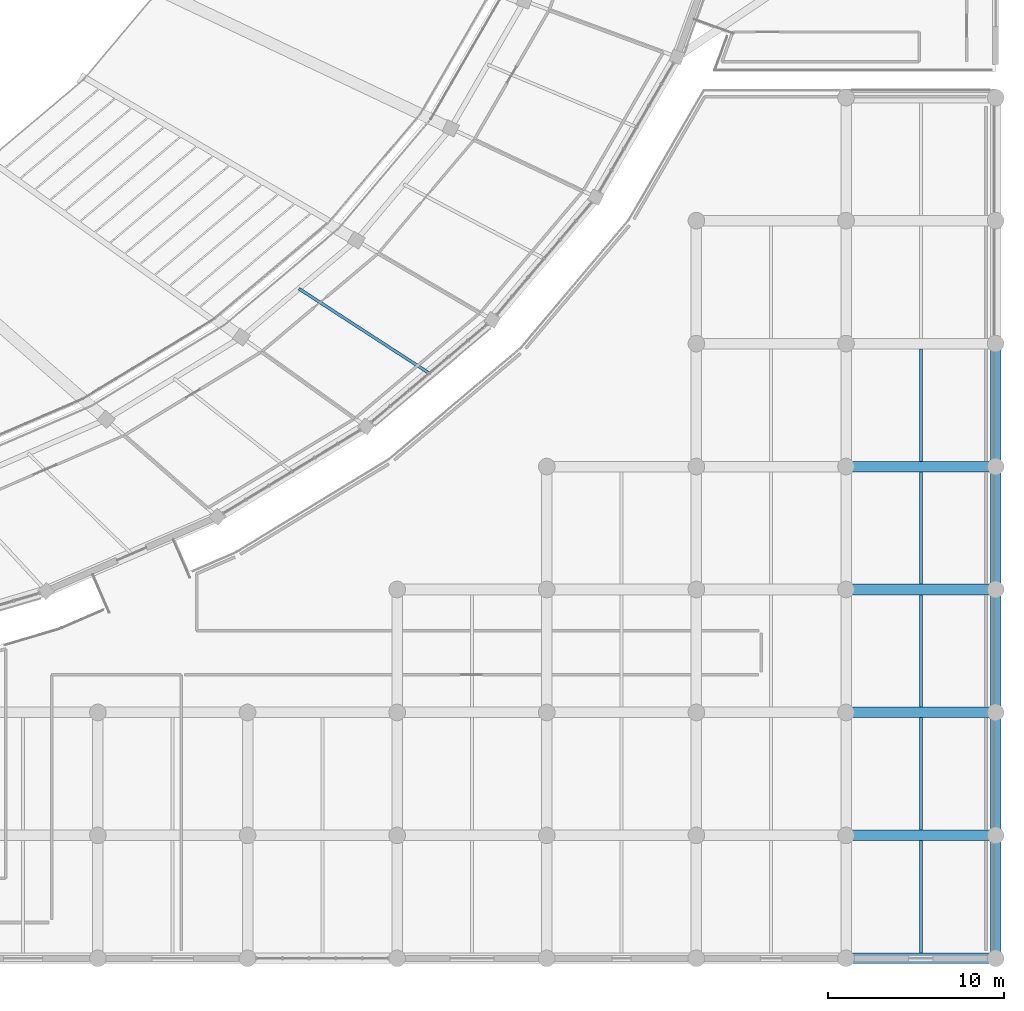
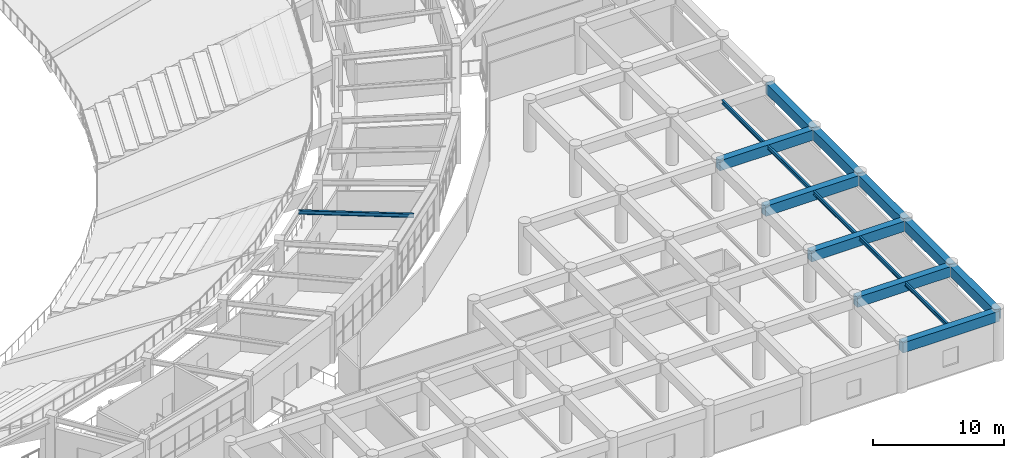
# One storey, part 39 of 137: 16 beams.
"""IFC4 building model written with IfcOpenShell, lengths in metres."""

from ifc_helpers import new_model, si_unit, direction, frame, origin, origin_2d, place, context, subcontext, project, spatial, rectangle, i_section, extrude, material, material_profile, profile_set, type_object, element, save


model = new_model("IFC4")

# Units and contexts
model_context = context("Model", 3, precision=1e-05, world=origin(), true_north=direction((0.0, 1.0)))
body_context = subcontext(model_context, "Body", "Model", "MODEL_VIEW")
ifc_project = project(units=[si_unit("LENGTHUNIT", "METRE"), si_unit("AREAUNIT", "SQUARE_METRE"), si_unit("VOLUMEUNIT", "CUBIC_METRE"), si_unit("PLANEANGLEUNIT", "RADIAN"), si_unit("MASSUNIT", "GRAM", prefix="KILO")], contexts=[model_context])

# Site, building, storey
site_placement = place(None, origin())
site = spatial("IfcSite", under=ifc_project, at=site_placement, CompositionType="ELEMENT")
building_placement = place(site_placement, origin())
building = spatial("IfcBuilding", under=site, at=building_placement, Name="Mphavela Belvedere Stadium", CompositionType="ELEMENT")
storey_placement = place(building_placement, frame((0.0, 0.0, 19.199951171875)))
storey = spatial("IfcBuildingStorey", under=building, at=storey_placement, Name="L04", CompositionType="ELEMENT", Elevation=19.199951171875)

# Beams
ifc_material_1 = material(Name="Concrete C40/50", Category="concrete")
ifc_material_profile_1 = material_profile(ifc_material_1, rectangle(XDim=0.60009765625, YDim=0.949951171875, at=origin_2d()), Name="RC 600x950")
ifc_profile_set_1 = profile_set([ifc_material_profile_1], Name="Concrete C40/50")
beam_type_1 = type_object("IfcBeamType", Name="BM-ENTABLATURE-950", PredefinedType="SPANDREL", material=ifc_profile_set_1)
for number, where, z_axis, x_axis, name in (
    (1, (221.48095703125, 0.0, 4.06494140625), (1.0, 0.0, 0.0), (0.0, 1.0, 0.0), "South Axial Triumphal Peristyle Portico entablature beam X L04 27-1"),
    (2, (221.48095703125, 7.0, 4.06494140625), (1.0, 0.0, 0.0), (0.0, 1.0, 0.0), "South Axial Triumphal Peristyle Portico entablature beam X L04 27-2"),
    (3, (221.48095703125, 14.0, 4.06494140625), (1.0, 0.0, 0.0), (0.0, 1.0, 0.0), "South Axial Triumphal Peristyle Portico entablature beam X L04 27-3"),
    (4, (221.48095703125, 21.0, 4.06494140625), (1.0, 0.0, 0.0), (0.0, 1.0, 0.0), "South Axial Triumphal Peristyle Portico entablature beam X L04 27-4"),
    (5, (221.48095703125, 28.0, 4.06494140625), (1.0, 0.0, 0.0), (0.0, 1.0, 0.0), "South Axial Triumphal Peristyle Portico entablature beam X L04 27-5"),
):
    element("IfcBeam", number, at=place(storey_placement, frame(where, z_axis=z_axis, x_axis=x_axis)), inside=storey, type_object=beam_type_1, Name=name, PredefinedType="SPANDREL", context=body_context, shape_type="SweptSolid", body=[
        extrude(rectangle(XDim=0.60009765625, YDim=0.949951171875, at=origin_2d()), origin(), (0.0, 0.0, 1.0), 8.51904296875),
    ])
for number, where, z_axis, x_axis, name in (
    (6, (230.0, 0.0, 4.06494140625), (0.0, 1.0, 0.0), (-1.0, 0.0, 0.0), "South Axial Triumphal Peristyle Portico entablature beam Y L04 28-1"),
    (7, (230.0, 7.0, 4.06494140625), (0.0, 1.0, 0.0), (-1.0, 0.0, 0.0), "South Axial Triumphal Peristyle Portico entablature beam Y L04 28-2"),
    (8, (230.0, 14.0, 4.06494140625), (0.0, 1.0, 0.0), (-1.0, 0.0, 0.0), "South Axial Triumphal Peristyle Portico entablature beam Y L04 28-3"),
    (9, (230.0, 21.0, 4.06494140625), (0.0, 1.0, 0.0), (-1.0, 0.0, 0.0), "South Axial Triumphal Peristyle Portico entablature beam Y L04 28-4"),
    (10, (230.0, 28.0, 4.06494140625), (0.0, 1.0, 0.0), (-1.0, 0.0, 0.0), "South Axial Triumphal Peristyle Portico entablature beam Y L04 28-5"),
):
    element("IfcBeam", number, at=place(storey_placement, frame(where, z_axis=z_axis, x_axis=x_axis)), inside=storey, type_object=beam_type_1, Name=name, PredefinedType="SPANDREL", context=body_context, shape_type="SweptSolid", body=[
        extrude(rectangle(XDim=0.60009765625, YDim=0.949951171875, at=origin_2d()), origin(), (0.0, 0.0, 1.0), 7.0),
    ])
ifc_material_2 = material(Name="Steel S355", Category="steel")
ifc_material_profile_2 = material_profile(ifc_material_2, i_section(OverallWidth=0.169921875, OverallDepth=0.360107421875, WebThickness=0.008056640625, FlangeThickness=0.0126953125, at=origin_2d()), Name="IPE 360")
ifc_profile_set_2 = profile_set([ifc_material_profile_2], Name="Steel S355")
beam_type_2 = type_object("IfcBeamType", Name="BM-JOIST-IPE360", PredefinedType="JOIST", material=ifc_profile_set_2)
beam_placement = place(storey_placement, frame((190.330810546875, 38.127197265625, 4.3701171875), z_axis=(0.838915278194, -0.544262028818, 0.0), x_axis=(0.544262028818, 0.838915278194, 0.0)))
element("IfcBeam", 11, at=beam_placement, inside=storey, type_object=beam_type_2, Name="Concourse floor joist L04-43", PredefinedType="JOIST", context=body_context, shape_type="SweptSolid", body=[
    extrude(i_section(OverallWidth=0.169921875, OverallDepth=0.360107421875, WebThickness=0.008056640625, FlangeThickness=0.0126953125, at=origin_2d()), origin(), (0.0, 0.0, 1.0), 8.840087890625),
])
for number, where, z_axis, x_axis, name in (
    (12, (225.740478515625, 0.300048828125, 4.360107421875), (0.0, 1.0, 0.0), (-1.0, 0.0, 0.0), "South Axial Triumphal Peristyle Portico secondary joist L04 27-1"),
    (13, (225.740478515625, 7.300048828125, 4.360107421875), (0.0, 1.0, 0.0), (-1.0, 0.0, 0.0), "South Axial Triumphal Peristyle Portico secondary joist L04 27-2"),
    (14, (225.740478515625, 14.300048828125, 4.360107421875), (0.0, 1.0, 0.0), (-1.0, 0.0, 0.0), "South Axial Triumphal Peristyle Portico secondary joist L04 27-3"),
    (15, (225.740478515625, 21.300048828125, 4.360107421875), (0.0, 1.0, 0.0), (-1.0, 0.0, 0.0), "South Axial Triumphal Peristyle Portico secondary joist L04 27-4"),
    (16, (225.740478515625, 28.300048828125, 4.360107421875), (0.0, 1.0, 0.0), (-1.0, 0.0, 0.0), "South Axial Triumphal Peristyle Portico secondary joist L04 27-5"),
):
    element("IfcBeam", number, at=place(storey_placement, frame(where, z_axis=z_axis, x_axis=x_axis)), inside=storey, type_object=beam_type_2, Name=name, PredefinedType="JOIST", context=body_context, shape_type="SweptSolid", body=[
        extrude(i_section(OverallWidth=0.169921875, OverallDepth=0.360107421875, WebThickness=0.008056640625, FlangeThickness=0.0126953125, at=origin_2d()), origin(), (0.0, 0.0, 1.0), 6.39990234375),
    ])

save(model, "model.ifc")
